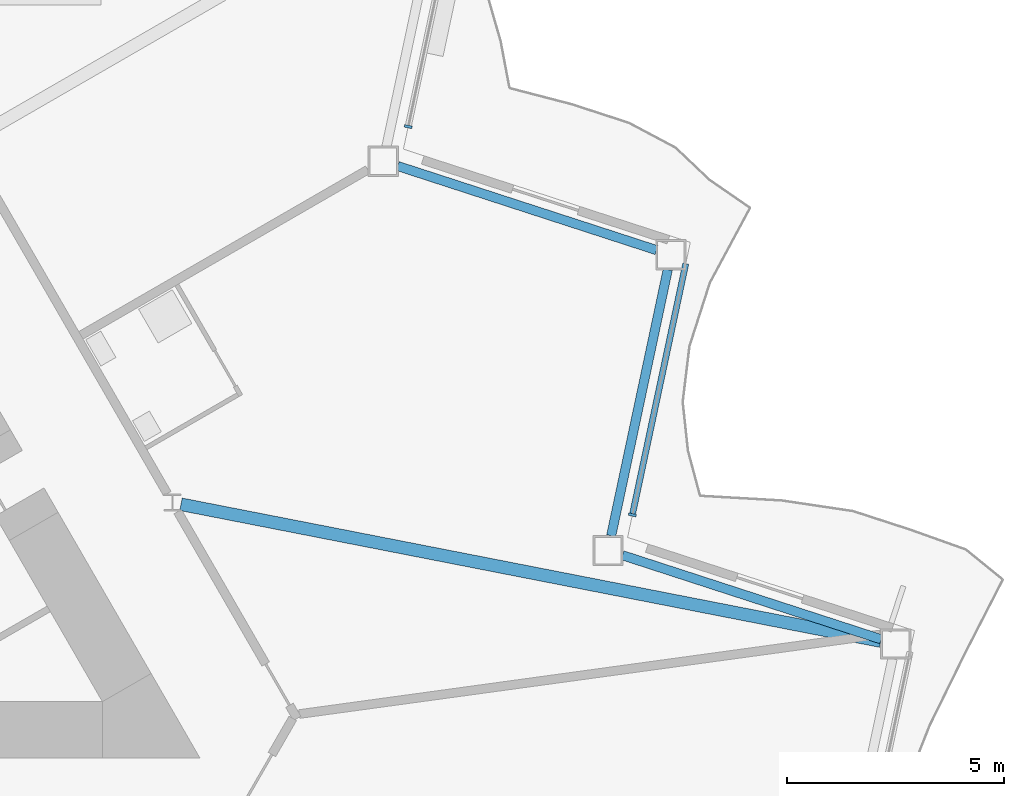
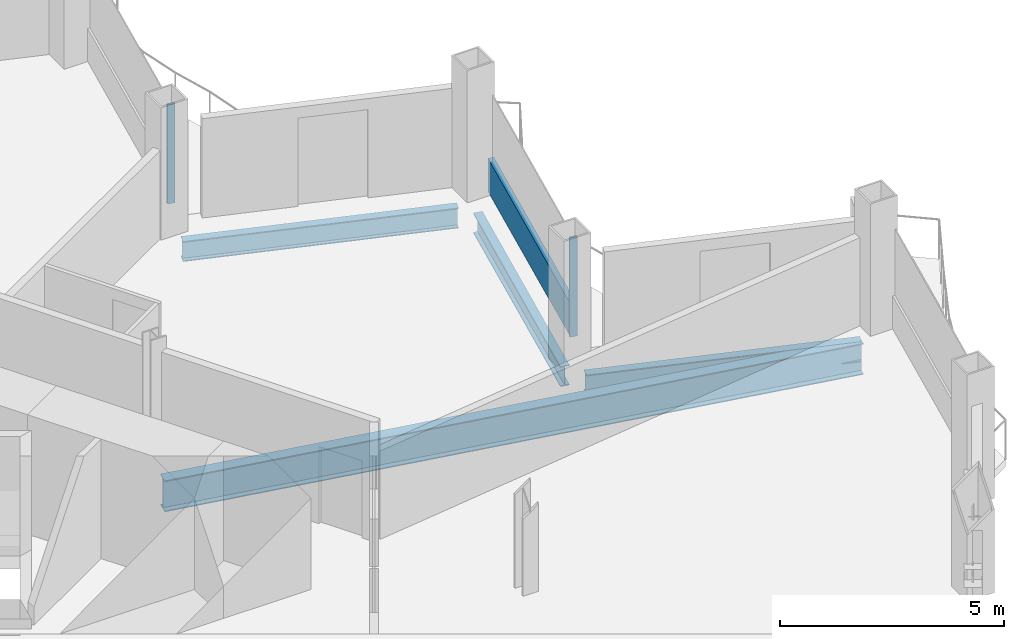
# One storey, part 7 of 23: 4 beams, 3 members, 2 elements without a shape of their own.
"""IFC4 building model written with IfcOpenShell, lengths in metres."""

from ifc_helpers import new_model, si_unit, direction, frame, origin, origin_2d, place, context, subcontext, project, spatial, rectangle, i_section, extrude, material, layer, layer_set, material_profile, profile_set, type_object, element, aggregate, save


model = new_model("IFC4")

# Units and contexts
model_context = context("Model", 3, precision=1e-05, world=origin(), true_north=direction((0.0, 1.0)))
body_context = subcontext(model_context, "Body", "Model", "MODEL_VIEW")
ifc_project = project(units=[si_unit("LENGTHUNIT", "METRE"), si_unit("AREAUNIT", "SQUARE_METRE"), si_unit("VOLUMEUNIT", "CUBIC_METRE"), si_unit("PLANEANGLEUNIT", "RADIAN"), si_unit("MASSUNIT", "GRAM", prefix="KILO")], contexts=[model_context])

# Site, building, storey
site_placement = place(None, origin())
site = spatial("IfcSite", under=ifc_project, at=site_placement, CompositionType="ELEMENT")
building_placement = place(site_placement, origin())
building = spatial("IfcBuilding", under=site, at=building_placement, Name="Cormorant Prow Tower", CompositionType="ELEMENT")
storey_placement = place(building_placement, frame((0.0, 0.0, 241.800048828125)))
storey = spatial("IfcBuildingStorey", under=building, at=storey_placement, Name="L53", CompositionType="ELEMENT", Elevation=241.800048828125)

# Curtain wall, member
ifc_material_1 = material(Name="Aluminium 6063-T6", Category="aluminium")
ifc_layer = layer(ifc_material_1, 0.179931640625)
ifc_layer_set = layer_set([ifc_layer], Name="Aluminium 6063-T6")
curtain_wall_type = type_object("IfcCurtainWallType", Name="Hotel unitised curtain wall 180", PredefinedType="NOTDEFINED", material=ifc_layer_set)
curtain_wall_1_placement = place(storey_placement, origin())
curtain_wall_1 = element("IfcCurtainWall", 1, at=curtain_wall_1_placement, inside=storey, type_object=curtain_wall_type, Name="Hotel curtain wall ENE02", PredefinedType="NOTDEFINED")
ifc_material_2 = material(Name="Aluminium 6063-T6", Category="aluminium")
ifc_material_profile_1 = material_profile(ifc_material_2, rectangle(XDim=0.179931640625, YDim=0.06005859375, at=origin_2d()), Name="Hotel mullion 60x180")
ifc_profile_set_1 = profile_set([ifc_material_profile_1], Name="Aluminium 6063-T6")
member_type_1 = type_object("IfcMemberType", Name="Hotel mullion 60x180", PredefinedType="MULLION", material=ifc_profile_set_1)
member_1_placement = place(storey_placement, frame((24.985107421875, -3.04833984375, 0.0), z_axis=(0.0, 0.0, 1.0), x_axis=(-0.978147605727, 0.207911667327, 0.0)))
member_1 = element("IfcMember", 2, at=member_1_placement, type_object=member_type_1, Name="Hotel mullion ENE02", PredefinedType="MULLION", context=body_context, shape_type="SweptSolid", body=[
    extrude(rectangle(XDim=0.179931640625, YDim=0.06005859375, at=origin_2d()), origin(), (0.0, 0.0, 1.0), 2.700927734375),
])

curtain_wall_2_placement = place(storey_placement, origin())
curtain_wall_2 = element("IfcCurtainWall", 3, at=curtain_wall_2_placement, inside=storey, type_object=curtain_wall_type, Name="Hotel curtain wall ENE04", PredefinedType="NOTDEFINED")
member_2_placement = place(storey_placement, frame((19.809326171875, 5.916259765625, 0.0), z_axis=(0.0, 0.0, 1.0), x_axis=(-0.978147605727, 0.207911667327, 0.0)))
member_2 = element("IfcMember", 4, at=member_2_placement, type_object=member_type_1, Name="Hotel mullion ENE04", PredefinedType="MULLION", context=body_context, shape_type="SweptSolid", body=[
    extrude(rectangle(XDim=0.179931640625, YDim=0.06005859375, at=origin_2d()), origin(), (0.0, 0.0, 1.0), 2.700927734375),
])
aggregate(curtain_wall_2, [member_2])

# Member
ifc_material_3 = material(Name="Terracotta", Category="masonry")
ifc_material_profile_2 = material_profile(ifc_material_3, rectangle(XDim=0.139892578125, YDim=0.89990234375, at=origin_2d()), Name="Hotel terracotta spandrel rail 140x900")
ifc_profile_set_2 = profile_set([ifc_material_profile_2], Name="Terracotta")
member_type_2 = type_object("IfcMemberType", Name="Hotel terracotta spandrel rail 140x900", PredefinedType="USERDEFINED", material=ifc_profile_set_2)
member_3_placement = place(storey_placement, frame((24.9912109375, -3.01904296875, 0.449951171875), z_axis=(0.207921579045, 0.978145498874, 0.0), x_axis=(-0.978145498874, 0.207921579045, 0.0)))
member_3 = element("IfcMember", 5, at=member_3_placement, type_object=member_type_2, Name="Hotel spandrel rail ENE02", ObjectType="TRANSOM", PredefinedType="USERDEFINED", context=body_context, shape_type="SweptSolid", body=[
    extrude(rectangle(XDim=0.139892578125, YDim=0.89990234375, at=origin_2d()), origin(), (0.0, 0.0, 1.0), 5.902587890625),
])

aggregate(curtain_wall_1, [member_1, member_3])

# Beams
ifc_material_4 = material(Name="Structural steel ASTM A992 Gr 50", Category="steel")
ifc_material_profile_3 = material_profile(ifc_material_4, i_section(OverallWidth=0.29296875, OverallDepth=0.845703125, WebThickness=0.015380859375, FlangeThickness=0.0244140625, at=origin_2d()), Name="W33x141")
ifc_profile_set_3 = profile_set([ifc_material_profile_3], Name="Structural steel ASTM A992 Gr 50")
beam_type_1 = type_object("IfcBeamType", Name="Radial floor beam W33x141", PredefinedType="BEAM", material=ifc_profile_set_3)
beam_placement = place(storey_placement, frame((14.5634765625, -2.80322265625, -0.77294921875), z_axis=(0.981419133752, -0.191876220269, 0.0), x_axis=(0.191876220269, 0.981419133752, 0.0)))
element("IfcBeam", 6, at=beam_placement, inside=storey, type_object=beam_type_1, Name="Radial floor beam FB2 10 L53", PredefinedType="BEAM", context=body_context, shape_type="SweptSolid", body=[
    extrude(i_section(OverallWidth=0.29296875, OverallDepth=0.845703125, WebThickness=0.015380859375, FlangeThickness=0.0244140625, at=origin_2d()), origin(), (0.0, 0.0, 1.0), 16.462158203125),
])
ifc_material_5 = material(Name="Structural steel ASTM A992 Gr 50", Category="steel")
ifc_material_profile_4 = material_profile(ifc_material_5, i_section(OverallWidth=0.2138671875, OverallDepth=0.549072265625, WebThickness=0.0146484375, FlangeThickness=0.023681640625, at=origin_2d()), Name="W21x93")
ifc_profile_set_4 = profile_set([ifc_material_profile_4], Name="Structural steel ASTM A992 Gr 50")
beam_type_2 = type_object("IfcBeamType", Name="Spandrel beam W21x93", PredefinedType="SPANDREL", material=ifc_profile_set_4)
for number, where, z_axis, x_axis, name in (
    (7, (30.730224609375, -5.9208984375, -0.62451171875), (-0.951061771288, 0.309000820701, 0.0), (-0.309000820701, -0.951061771288, 0.0), "Spandrel beam SB2 ENE01-ENE02 L53"),
    (8, (24.49609375, -3.529296875, -0.62451171875), (0.207941499013, 0.978141264331, 0.0), (-0.978141264331, 0.207941499013, 0.0), "Spandrel beam SB2 ENE02-ENE03 L53"),
    (9, (25.5419921875, 3.0654296875, -0.62451171875), (-0.951061771288, 0.309000820701, 0.0), (-0.309000820701, -0.951061771288, 0.0), "Spandrel beam SB2 ENE03-ENE04 L53"),
):
    element("IfcBeam", number, at=place(storey_placement, frame(where, z_axis=z_axis, x_axis=x_axis)), inside=storey, type_object=beam_type_2, Name=name, PredefinedType="SPANDREL", context=body_context, shape_type="SweptSolid", body=[
        extrude(i_section(OverallWidth=0.2138671875, OverallDepth=0.549072265625, WebThickness=0.0146484375, FlangeThickness=0.023681640625, at=origin_2d()), origin(), (0.0, 0.0, 1.0), 6.28125),
    ])

save(model, "model.ifc")
